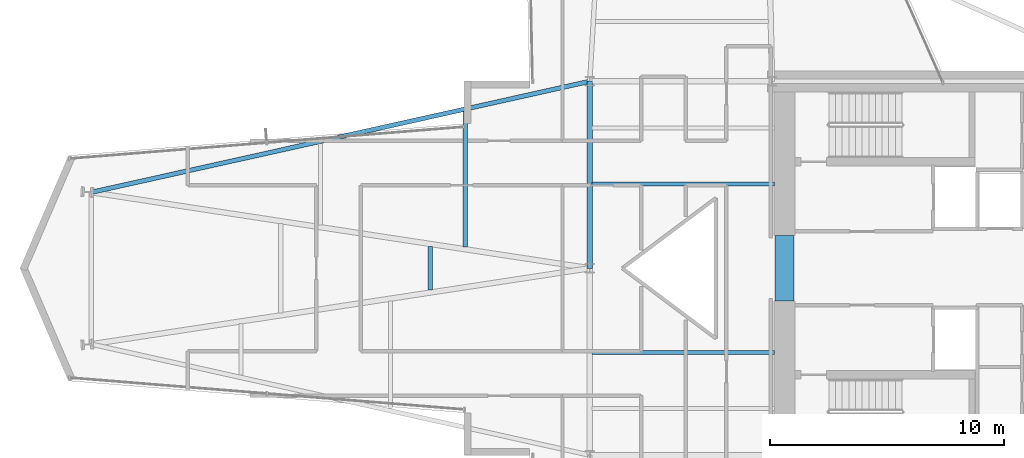
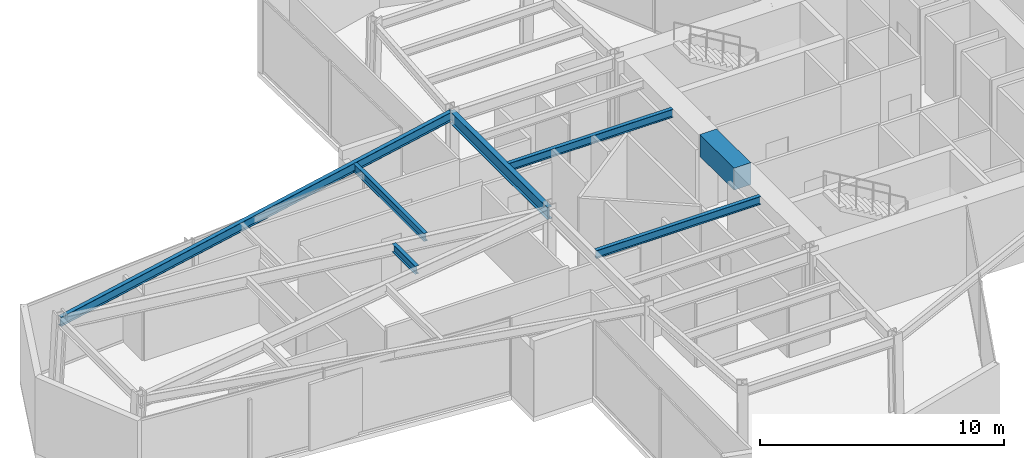
# One storey, part 8 of 24: 7 beams.
"""IFC4 building model written with IfcOpenShell, lengths in metres."""

from ifc_helpers import new_model, si_unit, direction, frame, origin, origin_2d, place, context, subcontext, project, spatial, rectangle, i_section, extrude, material, material_profile, profile_set, type_object, element, save


model = new_model("IFC4")

# Units and contexts
model_context = context("Model", 3, precision=1e-05, world=origin(), true_north=direction((0.0, 1.0)))
body_context = subcontext(model_context, "Body", "Model", "MODEL_VIEW")
ifc_project = project(units=[si_unit("LENGTHUNIT", "METRE"), si_unit("AREAUNIT", "SQUARE_METRE"), si_unit("VOLUMEUNIT", "CUBIC_METRE"), si_unit("PLANEANGLEUNIT", "RADIAN"), si_unit("MASSUNIT", "GRAM", prefix="KILO")], contexts=[model_context])

# Site, building, storey
site_placement = place(None, origin())
site = spatial("IfcSite", under=ifc_project, at=site_placement, CompositionType="ELEMENT")
building_placement = place(site_placement, origin())
building = spatial("IfcBuilding", under=site, at=building_placement, Name="Veymaron Broadcast Tower", CompositionType="ELEMENT")
storey_placement = place(building_placement, frame((0.0, 0.0, 98.550048828125)))
storey = spatial("IfcBuildingStorey", under=building, at=storey_placement, Name="L22", CompositionType="ELEMENT", Elevation=98.550048828125)

# Beams
ifc_material_1 = material(Name="Concrete C70/85", Category="concrete")
ifc_material_profile_1 = material_profile(ifc_material_1, rectangle(XDim=0.800048828125, YDim=1.10009765625, at=origin_2d()), Name="RC800X1100")
ifc_profile_set_1 = profile_set([ifc_material_profile_1], Name="Concrete C70/85")
beam_type_1 = type_object("IfcBeamType", Name="BM-CB1", PredefinedType="LINTEL", material=ifc_profile_set_1)
beam_1_placement = place(storey_placement, frame((39.530029296875, 22.60009765625, 3.260009765625), z_axis=(0.0, 1.0, 0.0), x_axis=(-1.0, 0.0, 0.0)))
element("IfcBeam", 1, at=beam_1_placement, inside=storey, type_object=beam_type_1, Name="L22 Core Wall west coupling beam", PredefinedType="LINTEL", context=body_context, shape_type="SweptSolid", body=[
    extrude(rectangle(XDim=0.800048828125, YDim=1.10009765625, at=origin_2d()), origin(), (0.0, 0.0, 1.0), 2.7998046875),
])
ifc_material_2 = material(Name="Structural steel ASTM A992 Gr 50", Category="steel")
ifc_material_profile_2 = material_profile(ifc_material_2, i_section(OverallWidth=0.22998046875, OverallDepth=0.616943359375, WebThickness=0.01318359375, FlangeThickness=0.022216796875, at=origin_2d()), Name="W610X140")
ifc_profile_set_2 = profile_set([ifc_material_profile_2], Name="Structural steel ASTM A992 Gr 50")
beam_type_2 = type_object("IfcBeamType", Name="BM-FG1", PredefinedType="BEAM", material=ifc_profile_set_2)
beam_2_placement = place(storey_placement, frame((31.199951171875, 24.0, 3.50146484375), z_axis=(0.0, 1.0, 0.0), x_axis=(-1.0, 0.0, 0.0)))
element("IfcBeam", 2, at=beam_2_placement, inside=storey, type_object=beam_type_2, Name="L22 primary structural floor girder", PredefinedType="BEAM", context=body_context, shape_type="SweptSolid", body=[
    extrude(i_section(OverallWidth=0.22998046875, OverallDepth=0.616943359375, WebThickness=0.01318359375, FlangeThickness=0.022216796875, at=origin_2d()), origin(), (0.0, 0.0, 1.0), 8.0),
])
ifc_material_profile_3 = material_profile(ifc_material_2, i_section(OverallWidth=0.177978515625, OverallDepth=0.406982421875, WebThickness=0.0078125, FlangeThickness=0.0126953125, at=origin_2d()), Name="W410X60")
ifc_profile_set_3 = profile_set([ifc_material_profile_3], Name="Structural steel ASTM A992 Gr 50")
beam_type_3 = type_object("IfcBeamType", Name="BM-JS1", PredefinedType="JOIST", material=ifc_profile_set_3)
beam_3_placement = place(storey_placement, frame((24.37451171875, 23.06005859375, 3.6064453125), z_axis=(0.0, 1.0, 0.0), x_axis=(-1.0, 0.0, 0.0)))
element("IfcBeam", 3, at=beam_3_placement, inside=storey, type_object=beam_type_3, Name="L22 Arm-A secondary joist 2M", PredefinedType="JOIST", context=body_context, shape_type="SweptSolid", body=[
    extrude(i_section(OverallWidth=0.177978515625, OverallDepth=0.406982421875, WebThickness=0.0078125, FlangeThickness=0.0126953125, at=origin_2d()), origin(), (0.0, 0.0, 1.0), 1.8798828125),
])
beam_4_placement = place(storey_placement, frame((25.867431640625, 24.91259765625, 3.6064453125), z_axis=(0.0, 1.0, 0.0), x_axis=(-1.0, 0.0, 0.0)))
element("IfcBeam", 4, at=beam_4_placement, inside=storey, type_object=beam_type_3, Name="L22 Arm-A secondary joist 2N", PredefinedType="JOIST", context=body_context, shape_type="SweptSolid", body=[
    extrude(i_section(OverallWidth=0.177978515625, OverallDepth=0.406982421875, WebThickness=0.0078125, FlangeThickness=0.0126953125, at=origin_2d()), origin(), (0.0, 0.0, 1.0), 5.7998046875),
])
for number, where, z_axis, x_axis, name in (
    (5, (31.300048828125, 20.39990234375, 3.6064453125), (1.0, 0.0, 0.0), (0.0, 1.0, 0.0), "L22 Hub secondary joist 2"),
    (6, (31.300048828125, 27.60009765625, 3.6064453125), (1.0, 0.0, 0.0), (0.0, 1.0, 0.0), "L22 Hub secondary joist 3"),
):
    element("IfcBeam", number, at=place(storey_placement, frame(where, z_axis=z_axis, x_axis=x_axis)), inside=storey, type_object=beam_type_3, Name=name, PredefinedType="JOIST", context=body_context, shape_type="SweptSolid", body=[
        extrude(i_section(OverallWidth=0.177978515625, OverallDepth=0.406982421875, WebThickness=0.0078125, FlangeThickness=0.0126953125, at=origin_2d()), origin(), (0.0, 0.0, 1.0), 7.800048828125),
    ])
ifc_material_profile_4 = material_profile(ifc_material_2, i_section(OverallWidth=0.19091796875, OverallDepth=0.4599609375, WebThickness=0.010009765625, FlangeThickness=0.01611328125, at=origin_2d()), Name="W460X82")
ifc_profile_set_4 = profile_set([ifc_material_profile_4], Name="Structural steel ASTM A992 Gr 50")
beam_type_4 = type_object("IfcBeamType", Name="BM-SP1", PredefinedType="SPANDREL", material=ifc_profile_set_4)
beam_5_placement = place(storey_placement, frame((9.8701171875, 27.25, 3.579833984375), z_axis=(0.976089697395, 0.21736812701, 0.0), x_axis=(-0.21736812701, 0.976089697395, 0.0)))
element("IfcBeam", 7, at=beam_5_placement, inside=storey, type_object=beam_type_4, Name="L22 primary structural floor girder", PredefinedType="SPANDREL", context=body_context, shape_type="SweptSolid", body=[
    extrude(i_section(OverallWidth=0.19091796875, OverallDepth=0.4599609375, WebThickness=0.010009765625, FlangeThickness=0.01611328125, at=origin_2d()), origin(), (0.0, 0.0, 1.0), 21.852294921875),
])

save(model, "model.ifc")
